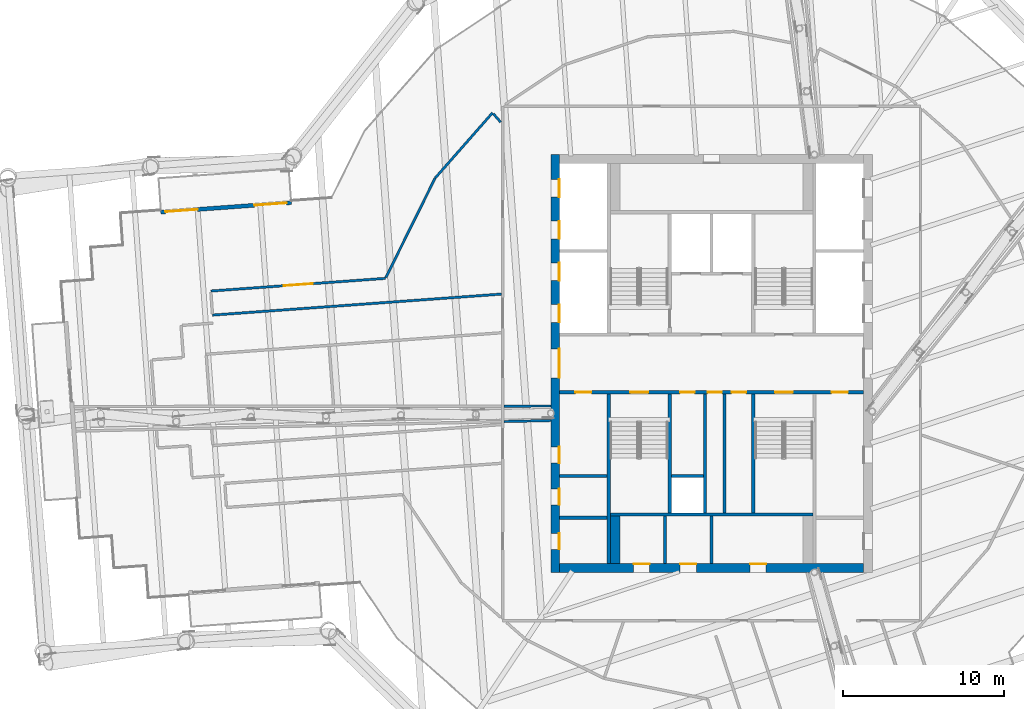
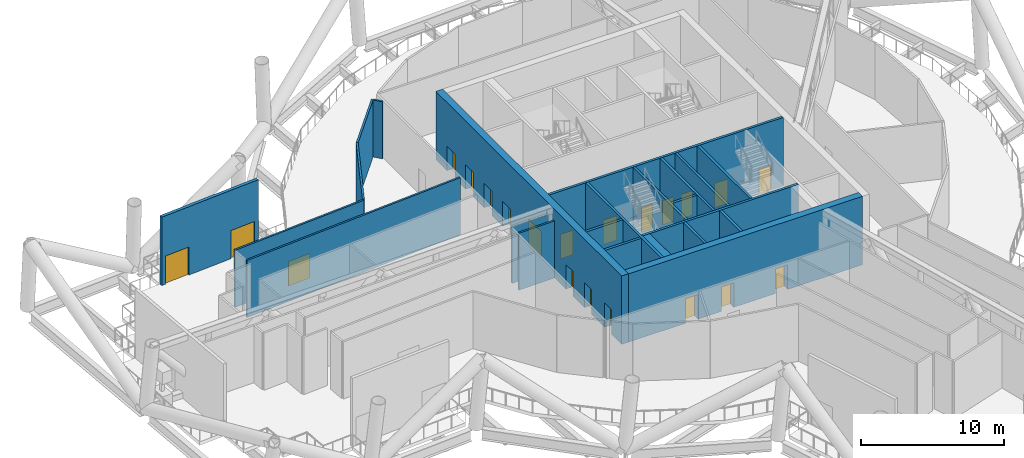
# One storey, part 11 of 33: 23 walls, 21 doors, 21 openings.
"""IFC4 building model written with IfcOpenShell, lengths in metres."""

from ifc_helpers import new_model, si_unit, direction, frame, frame_2d, origin, place, context, subcontext, project, spatial, rectangle, extrude, material, layer, layer_set, type_object, element, fill, save


model = new_model("IFC4")

# Units and contexts
model_context = context("Model", 3, precision=1e-05, world=origin(), true_north=direction((0.0, 1.0)))
body_context = subcontext(model_context, "Body", "Model", "MODEL_VIEW")
ifc_project = project(units=[si_unit("LENGTHUNIT", "METRE"), si_unit("AREAUNIT", "SQUARE_METRE"), si_unit("VOLUMEUNIT", "CUBIC_METRE"), si_unit("PLANEANGLEUNIT", "RADIAN"), si_unit("MASSUNIT", "GRAM", prefix="KILO")], contexts=[model_context])

# Site, building, storey
site_placement = place(None, origin())
site = spatial("IfcSite", under=ifc_project, at=site_placement, CompositionType="ELEMENT")
building_placement = place(site_placement, origin())
building = spatial("IfcBuilding", under=site, at=building_placement, Name="Tarsis Ring Headquarters", CompositionType="ELEMENT")
storey_placement = place(building_placement, frame((0.0, 0.0, 302.0)))
storey = spatial("IfcBuildingStorey", under=building, at=storey_placement, Name="L71", CompositionType="ELEMENT", Elevation=302.0)

# Walls
ifc_material_1 = material(Name="Blockwork", Category="masonry")
ifc_layer_1 = layer(ifc_material_1, 0.199951171875)
ifc_layer_set_1 = layer_set([ifc_layer_1], Name="Core blockwork wall 200")
wall_type_1 = type_object("IfcWallType", Name="Core blockwork wall 200", PredefinedType="PARTITIONING", material=ifc_layer_set_1)
for number, where, z_axis, x_axis, name in (
    (1, (-9.449951171875, -9.60009765625, 0.0), (0.0, 0.0, 1.0), (1.0, 0.0, 0.0), "Core partition WD1"),
    (2, (-9.449951171875, -7.0, 0.0), (0.0, 0.0, 1.0), (1.0, 0.0, 0.0), "Core partition WD2"),
    (3, (-2.89990234375, -12.449951171875, 0.0), (0.0, 0.0, 1.0), (0.0, 1.0, 0.0), "Core partition SD1"),
    (4, (0.0, -12.449951171875, 0.0), (0.0, 0.0, 1.0), (0.0, 1.0, 0.0), "Core partition SD2"),
):
    element("IfcWall", number, at=place(storey_placement, frame(where, z_axis=z_axis, x_axis=x_axis)), inside=storey, type_object=wall_type_1, Name=name, PredefinedType="PARTITIONING", context=body_context, shape_type="SweptSolid", body=[
        extrude(rectangle(XDim=2.949951171875, YDim=0.199951171875, at=frame_2d((1.47509765625, 0.0))), origin(), (0.0, 0.0, 1.0), 5.840087890625),
    ])
wall_1_placement = place(storey_placement, frame((-2.5, -7.0, 0.0), z_axis=(0.0, 0.0, 1.0), x_axis=(1.0, 0.0, 0.0)))
element("IfcWall", 5, at=wall_1_placement, inside=storey, type_object=wall_type_1, Name="Core partition SP1", PredefinedType="PARTITIONING", context=body_context, shape_type="SweptSolid", body=[
    extrude(rectangle(XDim=2.0, YDim=0.199951171875, at=frame_2d((1.0, 0.0))), origin(), (0.0, 0.0, 1.0), 5.840087890625),
])
for number, where, z_axis, x_axis, name in (
    (6, (-0.39990234375, -9.300048828125, 0.0), (0.0, 0.0, 1.0), (0.0, 1.0, 0.0), "Core partition SV1"),
    (7, (0.800048828125, -9.300048828125, 0.0), (0.0, 0.0, 1.0), (0.0, 1.0, 0.0), "Core partition SV2"),
):
    element("IfcWall", number, at=place(storey_placement, frame(where, z_axis=z_axis, x_axis=x_axis)), inside=storey, type_object=wall_type_1, Name=name, PredefinedType="PARTITIONING", context=body_context, shape_type="SweptSolid", body=[
        extrude(rectangle(XDim=7.400146484375, YDim=0.199951171875, at=frame_2d((3.7001953125, 0.0))), origin(), (0.0, 0.0, 1.0), 5.840087890625),
    ])

# Wall, openings, doors
ifc_material_2 = material(Name="Concrete C50/60", Category="concrete")
ifc_layer_2 = layer(ifc_material_2, 0.550048828125)
ifc_layer_set_2 = layer_set([ifc_layer_2], Name="Core wall 550 C50/60")
wall_type_2 = type_object("IfcWallType", Name="Core wall 550 C50/60", PredefinedType="SHEAR", material=ifc_layer_set_2)
wall_2_placement = place(storey_placement, frame((-9.72509765625, -13.0, 0.0), z_axis=(0.0, 0.0, 1.0), x_axis=(0.0, 1.0, 0.0)))
wall_2 = element("IfcWall", 8, at=wall_2_placement, inside=storey, type_object=wall_type_2, Name="Core wall OW", PredefinedType="SHEAR", context=body_context, shape_type="SweptSolid", body=[
    extrude(rectangle(XDim=26.0, YDim=0.550048828125, at=frame_2d((13.0, 0.0))), origin(), (0.0, 0.0, 1.0), 5.840087890625),
])
opening_1_placement = place(wall_2_placement, frame((1.425048828125, 0.0, 0.0)))
opening_1 = element("IfcOpeningElement", 9, at=opening_1_placement, cuts=wall_2, Name="Opening L71-C01", PredefinedType="OPENING", context=body_context, shape_type="SweptSolid", body=[
    extrude(rectangle(XDim=1.0, YDim=2.10009765625, at=frame_2d((0.5, 1.050048828125))), frame((0.0, 0.284912109375, 0.0), z_axis=(0.0, -1.0, 0.0), x_axis=(1.0, 0.0, 0.0)), (0.0, 0.0, 1.0), 0.570068359375),
])
opening_2_placement = place(wall_2_placement, frame((4.199951171875, 0.0, 0.0)))
opening_2 = element("IfcOpeningElement", 10, at=opening_2_placement, cuts=wall_2, Name="Opening L71-C02", PredefinedType="OPENING", context=body_context, shape_type="SweptSolid", body=[
    extrude(rectangle(XDim=1.0, YDim=2.10009765625, at=frame_2d((0.5, 1.050048828125))), frame((0.0, 0.284912109375, 0.0), z_axis=(0.0, -1.0, 0.0), x_axis=(1.0, 0.0, 0.0)), (0.0, 0.0, 1.0), 0.570068359375),
])
opening_3_placement = place(wall_2_placement, frame((6.800048828125, 0.0, 0.0)))
opening_3 = element("IfcOpeningElement", 11, at=opening_3_placement, cuts=wall_2, Name="Opening L71-C03", PredefinedType="OPENING", context=body_context, shape_type="SweptSolid", body=[
    extrude(rectangle(XDim=1.0, YDim=2.10009765625, at=frame_2d((0.5, 1.050048828125))), frame((0.0, 0.284912109375, 0.0), z_axis=(0.0, -1.0, 0.0), x_axis=(1.0, 0.0, 0.0)), (0.0, 0.0, 1.0), 0.570068359375),
])
opening_4_placement = place(wall_2_placement, frame((12.10009765625, 0.0, 0.0)))
opening_4 = element("IfcOpeningElement", 12, at=opening_4_placement, cuts=wall_2, Name="Opening L71-C04", PredefinedType="OPENING", context=body_context, shape_type="SweptSolid", body=[
    extrude(rectangle(XDim=1.800048828125, YDim=2.10009765625, at=frame_2d((0.89990234375, 1.050048828125))), frame((0.0, 0.284912109375, 0.0), z_axis=(0.0, -1.0, 0.0), x_axis=(1.0, 0.0, 0.0)), (0.0, 0.0, 1.0), 0.570068359375),
])
opening_5_placement = place(wall_2_placement, frame((15.550048828125, 0.0, 0.0)))
opening_5 = element("IfcOpeningElement", 13, at=opening_5_placement, cuts=wall_2, Name="Opening LD-HR1", PredefinedType="OPENING", context=body_context, shape_type="SweptSolid", body=[
    extrude(rectangle(XDim=1.10009765625, YDim=2.10009765625, at=frame_2d((0.550048828125, 1.050048828125))), frame((0.0, 0.284912109375, 0.0), z_axis=(0.0, -1.0, 0.0), x_axis=(1.0, 0.0, 0.0)), (0.0, 0.0, 1.0), 0.570068359375),
])
opening_6_placement = place(wall_2_placement, frame((18.14990234375, 0.0, 0.0)))
opening_6 = element("IfcOpeningElement", 14, at=opening_6_placement, cuts=wall_2, Name="Opening LD-HR2", PredefinedType="OPENING", context=body_context, shape_type="SweptSolid", body=[
    extrude(rectangle(XDim=1.10009765625, YDim=2.10009765625, at=frame_2d((0.550048828125, 1.050048828125))), frame((0.0, 0.284912109375, 0.0), z_axis=(0.0, -1.0, 0.0), x_axis=(1.0, 0.0, 0.0)), (0.0, 0.0, 1.0), 0.570068359375),
])
opening_7_placement = place(wall_2_placement, frame((20.75, 0.0, 0.0)))
opening_7 = element("IfcOpeningElement", 15, at=opening_7_placement, cuts=wall_2, Name="Opening LD-HR3", PredefinedType="OPENING", context=body_context, shape_type="SweptSolid", body=[
    extrude(rectangle(XDim=1.10009765625, YDim=2.10009765625, at=frame_2d((0.550048828125, 1.050048828125))), frame((0.0, 0.284912109375, 0.0), z_axis=(0.0, -1.0, 0.0), x_axis=(1.0, 0.0, 0.0)), (0.0, 0.0, 1.0), 0.570068359375),
])
opening_8_placement = place(wall_2_placement, frame((23.35009765625, 0.0, 0.0)))
opening_8 = element("IfcOpeningElement", 16, at=opening_8_placement, cuts=wall_2, Name="Opening LD-HR4", PredefinedType="OPENING", context=body_context, shape_type="SweptSolid", body=[
    extrude(rectangle(XDim=1.10009765625, YDim=2.10009765625, at=frame_2d((0.550048828125, 1.050048828125))), frame((0.0, 0.284912109375, 0.0), z_axis=(0.0, -1.0, 0.0), x_axis=(1.0, 0.0, 0.0)), (0.0, 0.0, 1.0), 0.570068359375),
])
ifc_material_3 = material(Name="Steel S355", Category="steel")
door_type_1 = type_object("IfcDoorType", Name="Core entry door 1800x2100", OperationType="DOUBLE_DOOR_SINGLE_SWING", PredefinedType="DOOR", material=ifc_material_3)
door_1_placement = place(opening_4_placement, origin())
door_1 = element("IfcDoor", 17, at=door_1_placement, inside=storey, type_object=door_type_1, Name="Core entry door L71", OperationType="DOUBLE_DOOR_SINGLE_SWING", OverallHeight=2.10009765625, OverallWidth=1.800048828125, PredefinedType="DOOR", context=body_context, shape_type="SweptSolid", body=[
    extrude(rectangle(XDim=1.800048828125, YDim=2.10009765625, at=frame_2d((0.89990234375, 1.050048828125))), frame((0.0, -0.22509765625, 0.0), z_axis=(0.0, -1.0, 0.0), x_axis=(1.0, 0.0, 0.0)), (0.0, 0.0, 1.0), 0.050048828125),
])
fill(opening_4, door_1)
door_type_2 = type_object("IfcDoorType", Name="Core room door 1000x2100", OperationType="SINGLE_SWING_LEFT", PredefinedType="DOOR", material=ifc_material_3)
door_2_placement = place(opening_1_placement, origin())
door_2 = element("IfcDoor", 18, at=door_2_placement, inside=storey, type_object=door_type_2, Name="Core room door L71", OperationType="SINGLE_SWING_LEFT", OverallHeight=2.10009765625, OverallWidth=1.0, PredefinedType="DOOR", context=body_context, shape_type="SweptSolid", body=[
    extrude(rectangle(XDim=1.0, YDim=2.10009765625, at=frame_2d((0.5, 1.050048828125))), frame((0.0, -0.22509765625, 0.0), z_axis=(0.0, -1.0, 0.0), x_axis=(1.0, 0.0, 0.0)), (0.0, 0.0, 1.0), 0.050048828125),
])
fill(opening_1, door_2)
door_3_placement = place(opening_2_placement, origin())
door_3 = element("IfcDoor", 19, at=door_3_placement, inside=storey, type_object=door_type_2, Name="Core room door L71", OperationType="SINGLE_SWING_LEFT", OverallHeight=2.10009765625, OverallWidth=1.0, PredefinedType="DOOR", context=body_context, shape_type="SweptSolid", body=[
    extrude(rectangle(XDim=1.0, YDim=2.10009765625, at=frame_2d((0.5, 1.050048828125))), frame((0.0, -0.22509765625, 0.0), z_axis=(0.0, -1.0, 0.0), x_axis=(1.0, 0.0, 0.0)), (0.0, 0.0, 1.0), 0.050048828125),
])
fill(opening_2, door_3)
door_4_placement = place(opening_3_placement, origin())
door_4 = element("IfcDoor", 20, at=door_4_placement, inside=storey, type_object=door_type_2, Name="Core room door L71", OperationType="SINGLE_SWING_LEFT", OverallHeight=2.10009765625, OverallWidth=1.0, PredefinedType="DOOR", context=body_context, shape_type="SweptSolid", body=[
    extrude(rectangle(XDim=1.0, YDim=2.10009765625, at=frame_2d((0.5, 1.050048828125))), frame((0.0, -0.22509765625, 0.0), z_axis=(0.0, -1.0, 0.0), x_axis=(1.0, 0.0, 0.0)), (0.0, 0.0, 1.0), 0.050048828125),
])
fill(opening_3, door_4)
door_type_3 = type_object("IfcDoorType", Name="Landing door 1100x2100", OperationType="SLIDING_TO_LEFT", PredefinedType="DOOR", material=ifc_material_3)
door_5_placement = place(opening_5_placement, origin())
door_5 = element("IfcDoor", 21, at=door_5_placement, inside=storey, type_object=door_type_3, Name="Landing door HR1 L71", OperationType="SLIDING_TO_LEFT", OverallHeight=2.10009765625, OverallWidth=1.10009765625, PredefinedType="DOOR", context=body_context, shape_type="SweptSolid", body=[
    extrude(rectangle(XDim=1.10009765625, YDim=2.10009765625, at=frame_2d((0.550048828125, 1.050048828125))), frame((0.0, -0.22509765625, 0.0), z_axis=(0.0, -1.0, 0.0), x_axis=(1.0, 0.0, 0.0)), (0.0, 0.0, 1.0), 0.050048828125),
])
fill(opening_5, door_5)
door_6_placement = place(opening_6_placement, origin())
door_6 = element("IfcDoor", 22, at=door_6_placement, inside=storey, type_object=door_type_3, Name="Landing door HR2 L71", OperationType="SLIDING_TO_LEFT", OverallHeight=2.10009765625, OverallWidth=1.10009765625, PredefinedType="DOOR", context=body_context, shape_type="SweptSolid", body=[
    extrude(rectangle(XDim=1.10009765625, YDim=2.10009765625, at=frame_2d((0.550048828125, 1.050048828125))), frame((0.0, -0.22509765625, 0.0), z_axis=(0.0, -1.0, 0.0), x_axis=(1.0, 0.0, 0.0)), (0.0, 0.0, 1.0), 0.050048828125),
])
fill(opening_6, door_6)
door_7_placement = place(opening_7_placement, origin())
door_7 = element("IfcDoor", 23, at=door_7_placement, inside=storey, type_object=door_type_3, Name="Landing door HR3 L71", OperationType="SLIDING_TO_LEFT", OverallHeight=2.10009765625, OverallWidth=1.10009765625, PredefinedType="DOOR", context=body_context, shape_type="SweptSolid", body=[
    extrude(rectangle(XDim=1.10009765625, YDim=2.10009765625, at=frame_2d((0.550048828125, 1.050048828125))), frame((0.0, -0.22509765625, 0.0), z_axis=(0.0, -1.0, 0.0), x_axis=(1.0, 0.0, 0.0)), (0.0, 0.0, 1.0), 0.050048828125),
])
fill(opening_7, door_7)
door_8_placement = place(opening_8_placement, origin())
door_8 = element("IfcDoor", 24, at=door_8_placement, inside=storey, type_object=door_type_3, Name="Landing door HR4 L71", OperationType="SLIDING_TO_LEFT", OverallHeight=2.10009765625, OverallWidth=1.10009765625, PredefinedType="DOOR", context=body_context, shape_type="SweptSolid", body=[
    extrude(rectangle(XDim=1.10009765625, YDim=2.10009765625, at=frame_2d((0.550048828125, 1.050048828125))), frame((0.0, -0.22509765625, 0.0), z_axis=(0.0, -1.0, 0.0), x_axis=(1.0, 0.0, 0.0)), (0.0, 0.0, 1.0), 0.050048828125),
])
fill(opening_8, door_8)

wall_3_placement = place(storey_placement, frame((-9.449951171875, -12.72509765625, 0.0), z_axis=(0.0, 0.0, 1.0), x_axis=(1.0, 0.0, 0.0)))
wall_3 = element("IfcWall", 25, at=wall_3_placement, inside=storey, type_object=wall_type_2, Name="Core wall OS", PredefinedType="SHEAR", context=body_context, shape_type="SweptSolid", body=[
    extrude(rectangle(XDim=18.89990234375, YDim=0.550048828125, at=frame_2d((9.449951171875, 0.0))), origin(), (0.0, 0.0, 1.0), 5.840087890625),
])
opening_9_placement = place(wall_3_placement, frame((4.60009765625, 0.0, 0.0)))
opening_9 = element("IfcOpeningElement", 26, at=opening_9_placement, cuts=wall_3, Name="Opening L71-C17", PredefinedType="OPENING", context=body_context, shape_type="SweptSolid", body=[
    extrude(rectangle(XDim=1.0, YDim=2.10009765625, at=frame_2d((0.5, 1.050048828125))), frame((0.0, 0.284912109375, 0.0), z_axis=(0.0, -1.0, 0.0), x_axis=(1.0, 0.0, 0.0)), (0.0, 0.0, 1.0), 0.570068359375),
])
opening_10_placement = place(wall_3_placement, frame((7.5, 0.0, 0.0)))
opening_10 = element("IfcOpeningElement", 27, at=opening_10_placement, cuts=wall_3, Name="Opening L71-C18", PredefinedType="OPENING", context=body_context, shape_type="SweptSolid", body=[
    extrude(rectangle(XDim=1.0, YDim=2.10009765625, at=frame_2d((0.5, 1.050048828125))), frame((0.0, 0.284912109375, 0.0), z_axis=(0.0, -1.0, 0.0), x_axis=(1.0, 0.0, 0.0)), (0.0, 0.0, 1.0), 0.570068359375),
])
opening_11_placement = place(wall_3_placement, frame((11.85009765625, 0.0, 0.0)))
opening_11 = element("IfcOpeningElement", 28, at=opening_11_placement, cuts=wall_3, Name="Opening L71-C19", PredefinedType="OPENING", context=body_context, shape_type="SweptSolid", body=[
    extrude(rectangle(XDim=1.0, YDim=2.10009765625, at=frame_2d((0.5, 1.050048828125))), frame((0.0, 0.284912109375, 0.0), z_axis=(0.0, -1.0, 0.0), x_axis=(1.0, 0.0, 0.0)), (0.0, 0.0, 1.0), 0.570068359375),
])
door_9_placement = place(opening_9_placement, origin())
door_9 = element("IfcDoor", 29, at=door_9_placement, inside=storey, type_object=door_type_2, Name="Core room door L71", OperationType="SINGLE_SWING_LEFT", OverallHeight=2.10009765625, OverallWidth=1.0, PredefinedType="DOOR", context=body_context, shape_type="SweptSolid", body=[
    extrude(rectangle(XDim=1.0, YDim=2.10009765625, at=frame_2d((0.5, 1.050048828125))), frame((0.0, 0.27490234375, 0.0), z_axis=(0.0, -1.0, 0.0), x_axis=(1.0, 0.0, 0.0)), (0.0, 0.0, 1.0), 0.050048828125),
])
fill(opening_9, door_9)
door_10_placement = place(opening_10_placement, origin())
door_10 = element("IfcDoor", 30, at=door_10_placement, inside=storey, type_object=door_type_2, Name="Core room door L71", OperationType="SINGLE_SWING_LEFT", OverallHeight=2.10009765625, OverallWidth=1.0, PredefinedType="DOOR", context=body_context, shape_type="SweptSolid", body=[
    extrude(rectangle(XDim=1.0, YDim=2.10009765625, at=frame_2d((0.5, 1.050048828125))), frame((0.0, 0.27490234375, 0.0), z_axis=(0.0, -1.0, 0.0), x_axis=(1.0, 0.0, 0.0)), (0.0, 0.0, 1.0), 0.050048828125),
])
fill(opening_10, door_10)
door_11_placement = place(opening_11_placement, origin())
door_11 = element("IfcDoor", 31, at=door_11_placement, inside=storey, type_object=door_type_2, Name="Core room door L71", OperationType="SINGLE_SWING_LEFT", OverallHeight=2.10009765625, OverallWidth=1.0, PredefinedType="DOOR", context=body_context, shape_type="SweptSolid", body=[
    extrude(rectangle(XDim=1.0, YDim=2.10009765625, at=frame_2d((0.5, 1.050048828125))), frame((0.0, 0.27490234375, 0.0), z_axis=(0.0, -1.0, 0.0), x_axis=(1.0, 0.0, 0.0)), (0.0, 0.0, 1.0), 0.050048828125),
])
fill(opening_11, door_11)

# Walls
ifc_material_4 = material(Name="Gypsum board on steel studs", Category="steel")
ifc_layer_3 = layer(ifc_material_4, 0.14990234375)
ifc_layer_set_3 = layer_set([ifc_layer_3], Name="FL partition 150 EI 120 H4870")
wall_type_3 = type_object("IfcWallType", Name="FL partition 150 EI 120 H4870", PredefinedType="PARTITIONING", material=ifc_layer_set_3)
wall_4_placement = place(storey_placement, frame((-12.9248046875, -2.65478515625, 0.0), z_axis=(0.0, 0.0, 1.0), x_axis=(0.999999411234, 0.001085141264, 0.0)))
element("IfcWall", 32, at=wall_4_placement, inside=storey, type_object=wall_type_3, Name="Partition PW2H487", PredefinedType="PARTITIONING", context=body_context, shape_type="SweptSolid", body=[
    extrude(rectangle(XDim=2.9248046875, YDim=0.14990234375, at=frame_2d((1.46240234375, 0.0))), origin(), (0.0, 0.0, 1.0), 4.8701171875),
])
wall_5_placement = place(storey_placement, frame((-12.92333984375, -3.6181640625, 0.0), z_axis=(0.0, 0.0, 1.0), x_axis=(0.999753342648, 0.022209319287, 0.0)))
element("IfcWall", 33, at=wall_5_placement, inside=storey, type_object=wall_type_3, Name="Partition PW2H487", PredefinedType="PARTITIONING", context=body_context, shape_type="SweptSolid", body=[
    extrude(rectangle(XDim=2.924072265625, YDim=0.14990234375, at=frame_2d((1.4619140625, 0.0))), origin(), (0.0, 0.0, 1.0), 4.8701171875),
])
wall_6_placement = place(storey_placement, frame((-31.0498046875, 3.005615234375, 0.0), z_axis=(0.0, 0.0, 1.0), x_axis=(0.997365906075, 0.072534470419, 0.0)))
element("IfcWall", 34, at=wall_6_placement, inside=storey, type_object=wall_type_3, Name="Partition PW2H487", PredefinedType="PARTITIONING", context=body_context, shape_type="SweptSolid", body=[
    extrude(rectangle(XDim=18.017333984375, YDim=0.14990234375, at=frame_2d((9.0087890625, 0.0))), origin(), (0.0, 0.0, 1.0), 4.8701171875),
])

# Wall, opening, door
wall_7_placement = place(storey_placement, frame((-31.15869140625, 4.501708984375, 0.0), z_axis=(0.0, 0.0, 1.0), x_axis=(0.997365905327, 0.072534480709, 0.0)))
wall_7 = element("IfcWall", 35, at=wall_7_placement, inside=storey, type_object=wall_type_3, Name="Partition PW2H487", PredefinedType="PARTITIONING", context=body_context, shape_type="SweptSolid", body=[
    extrude(rectangle(XDim=10.902099609375, YDim=0.14990234375, at=frame_2d((5.451171875, 0.0))), origin(), (0.0, 0.0, 1.0), 4.8701171875),
])
opening_12_placement = place(wall_7_placement, frame((4.55078125, 0.0, 0.0)))
opening_12 = element("IfcOpeningElement", 36, at=opening_12_placement, cuts=wall_7, Name="Opening D71.19", PredefinedType="OPENING", context=body_context, shape_type="SweptSolid", body=[
    extrude(rectangle(XDim=1.800048828125, YDim=2.10009765625, at=frame_2d((0.89990234375, 1.050048828125))), frame((0.0, 0.0849609375, 0.0), z_axis=(0.0, -1.0, 0.0), x_axis=(1.0, 0.0, 0.0)), (0.0, 0.0, 1.0), 0.169921875),
])
ifc_material_5 = material(Name="Fire-rated timber door leaf in steel frame", Category="steel")
door_type_4 = type_object("IfcDoorType", Name="FL door FD120-1800", OperationType="DOUBLE_DOOR_SINGLE_SWING", PredefinedType="DOOR", material=ifc_material_5)
door_12_placement = place(opening_12_placement, origin())
door_12 = element("IfcDoor", 37, at=door_12_placement, inside=storey, type_object=door_type_4, Name="Door D71.19", OperationType="DOUBLE_DOOR_SINGLE_SWING", OverallHeight=2.10009765625, OverallWidth=1.800048828125, PredefinedType="DOOR", context=body_context, shape_type="SweptSolid", body=[
    extrude(rectangle(XDim=1.800048828125, YDim=2.10009765625, at=frame_2d((0.89990234375, 1.050048828125))), frame((0.0, 0.02490234375, 0.0), z_axis=(0.0, -1.0, 0.0), x_axis=(1.0, 0.0, 0.0)), (0.0, 0.0, 1.0), 0.050048828125),
])
fill(opening_12, door_12)

# Walls
wall_8_placement = place(storey_placement, frame((-20.260986328125, 5.347412109375, 0.0), z_axis=(0.0, 0.0, 1.0), x_axis=(0.443700179258, 0.89617529029, 0.0)))
element("IfcWall", 38, at=wall_8_placement, inside=storey, type_object=wall_type_3, Name="Partition PW2H487", PredefinedType="PARTITIONING", context=body_context, shape_type="SweptSolid", body=[
    extrude(rectangle(XDim=6.89990234375, YDim=0.14990234375, at=frame_2d((3.449951171875, 0.0))), origin(), (0.0, 0.0, 1.0), 4.8701171875),
])
wall_9_placement = place(storey_placement, frame((-17.1923828125, 11.5390625, 0.0), z_axis=(0.0, 0.0, 1.0), x_axis=(0.66052383347, 0.750805078179, 0.0)))
element("IfcWall", 39, at=wall_9_placement, inside=storey, type_object=wall_type_3, Name="Partition PW2H487", PredefinedType="PARTITIONING", context=body_context, shape_type="SweptSolid", body=[
    extrude(rectangle(XDim=5.39501953125, YDim=0.14990234375, at=frame_2d((2.697509765625, 0.0))), origin(), (0.0, 0.0, 1.0), 4.8701171875),
])
wall_10_placement = place(storey_placement, frame((-13.574462890625, 15.52783203125, 0.0), z_axis=(0.0, 0.0, 1.0), x_axis=(0.658304988722, -0.752751314727, 0.0)))
element("IfcWall", 40, at=wall_10_placement, inside=storey, type_object=wall_type_3, Name="Partition PW2H487", PredefinedType="PARTITIONING", context=body_context, shape_type="SweptSolid", body=[
    extrude(rectangle(XDim=0.69287109375, YDim=0.14990234375, at=frame_2d((0.346435546875, 0.0))), origin(), (0.0, 0.0, 1.0), 4.8701171875),
])

# Wall, openings, doors
ifc_material_6 = material(Name="Terracotta clad insulated panel wall", Category="masonry")
ifc_layer_4 = layer(ifc_material_6, 0.25)
ifc_layer_set_4 = layer_set([ifc_layer_4], Name="Facade wall terracotta panel 250")
wall_type_4 = type_object("IfcWallType", Name="Facade wall terracotta panel 250", PredefinedType="STANDARD", material=ifc_layer_set_4)
wall_11_placement = place(storey_placement, frame((-26.143310546875, 10.0048828125, 0.0), z_axis=(0.0, 0.0, 1.0), x_axis=(-0.997365422983, -0.072541112747, 0.0)))
wall_11 = element("IfcWall", 41, at=wall_11_placement, inside=storey, type_object=wall_type_4, Name="External wall L71-05", PredefinedType="STANDARD", context=body_context, shape_type="SweptSolid", body=[
    extrude(rectangle(XDim=8.1513671875, YDim=0.25, at=frame_2d((4.07568359375, 0.0))), origin(), (0.0, 0.0, 1.0), 5.840087890625),
])
opening_13_placement = place(wall_11_placement, frame((0.300048828125, 0.0, 0.0)))
opening_13 = element("IfcOpeningElement", 42, at=opening_13_placement, cuts=wall_11, Name="Opening L71-BD08", PredefinedType="OPENING", context=body_context, shape_type="SweptSolid", body=[
    extrude(rectangle(XDim=2.0, YDim=2.39990234375, at=frame_2d((1.0, 1.199951171875))), frame((0.0, 0.135009765625, 0.0), z_axis=(0.0, -1.0, 0.0), x_axis=(1.0, 0.0, 0.0)), (0.0, 0.0, 1.0), 0.27001953125),
])
opening_14_placement = place(wall_11_placement, frame((5.851318359375, 0.0, 0.0)))
opening_14 = element("IfcOpeningElement", 43, at=opening_14_placement, cuts=wall_11, Name="Opening L71-BD09", PredefinedType="OPENING", context=body_context, shape_type="SweptSolid", body=[
    extrude(rectangle(XDim=2.0, YDim=2.39990234375, at=frame_2d((1.0, 1.199951171875))), frame((0.0, 0.135009765625, 0.0), z_axis=(0.0, -1.0, 0.0), x_axis=(1.0, 0.0, 0.0)), (0.0, 0.0, 1.0), 0.27001953125),
])
ifc_material_7 = material(Name="Aluminium framed double glazing", Category="aluminium")
door_type_5 = type_object("IfcDoorType", Name="Balcony sliding door 2000 x 2400", OperationType="SLIDING_TO_LEFT", PredefinedType="DOOR", material=ifc_material_7)
door_13_placement = place(opening_13_placement, origin())
door_13 = element("IfcDoor", 44, at=door_13_placement, inside=storey, type_object=door_type_5, Name="Door L71-BD08", OperationType="SINGLE_SWING_LEFT", OverallHeight=2.39990234375, OverallWidth=2.0, PredefinedType="DOOR", context=body_context, shape_type="SweptSolid", body=[
    extrude(rectangle(XDim=2.0, YDim=2.39990234375, at=frame_2d((1.0, 1.199951171875))), frame((0.0, 0.02490234375, 0.0), z_axis=(0.0, -1.0, 0.0), x_axis=(1.0, 0.0, 0.0)), (0.0, 0.0, 1.0), 0.050048828125),
])
fill(opening_13, door_13)
door_14_placement = place(opening_14_placement, origin())
door_14 = element("IfcDoor", 45, at=door_14_placement, inside=storey, type_object=door_type_5, Name="Door L71-BD09", OperationType="SINGLE_SWING_LEFT", OverallHeight=2.39990234375, OverallWidth=2.0, PredefinedType="DOOR", context=body_context, shape_type="SweptSolid", body=[
    extrude(rectangle(XDim=2.0, YDim=2.39990234375, at=frame_2d((1.0, 1.199951171875))), frame((0.0, 0.02490234375, 0.0), z_axis=(0.0, -1.0, 0.0), x_axis=(1.0, 0.0, 0.0)), (0.0, 0.0, 1.0), 0.050048828125),
])
fill(opening_14, door_14)

# Wall
ifc_material_8 = material(Name="Concrete C32/40", Category="concrete")
ifc_layer_5 = layer(ifc_material_8, 0.60009765625)
ifc_layer_set_5 = layer_set([ifc_layer_5], Name="Shaft end wall 600 C32/40")
wall_type_5 = type_object("IfcWallType", Name="Shaft end wall 600 C32/40", PredefinedType="SOLIDWALL", material=ifc_layer_set_5)
wall_12_placement = place(storey_placement, frame((-6.0, -12.449951171875, 0.0), z_axis=(0.0, 0.0, 1.0), x_axis=(0.0, 1.0, 0.0)))
element("IfcWall", 46, at=wall_12_placement, inside=storey, type_object=wall_type_5, Name="Core shaft wall SNE1", PredefinedType="SOLIDWALL", context=body_context, shape_type="SweptSolid", body=[
    extrude(rectangle(XDim=2.949951171875, YDim=0.60009765625, at=frame_2d((1.47509765625, 0.0))), origin(), (0.0, 0.0, 1.0), 5.840087890625),
])

# Wall, openings, doors
ifc_layer_6 = layer(ifc_material_8, 0.199951171875)
ifc_layer_set_6 = layer_set([ifc_layer_6], Name="Shaft wall 200 C32/40")
wall_type_6 = type_object("IfcWallType", Name="Shaft wall 200 C32/40", PredefinedType="SOLIDWALL", material=ifc_layer_set_6)
wall_13_placement = place(storey_placement, frame((-9.449951171875, -1.800048828125, 0.0), z_axis=(0.0, 0.0, 1.0), x_axis=(1.0, 0.0, 0.0)))
wall_13 = element("IfcWall", 47, at=wall_13_placement, inside=storey, type_object=wall_type_6, Name="Core shaft wall CS", PredefinedType="SOLIDWALL", context=body_context, shape_type="SweptSolid", body=[
    extrude(rectangle(XDim=18.89990234375, YDim=0.199951171875, at=frame_2d((9.449951171875, 0.0))), origin(), (0.0, 0.0, 1.0), 5.840087890625),
])
opening_15_placement = place(wall_13_placement, frame((0.97509765625, 0.0, 0.0)))
opening_15 = element("IfcOpeningElement", 48, at=opening_15_placement, cuts=wall_13, Name="Opening L71-C23", PredefinedType="OPENING", context=body_context, shape_type="SweptSolid", body=[
    extrude(rectangle(XDim=1.0, YDim=2.10009765625, at=frame_2d((0.5, 1.050048828125))), frame((0.0, 0.10986328125, 0.0), z_axis=(0.0, -1.0, 0.0), x_axis=(1.0, 0.0, 0.0)), (0.0, 0.0, 1.0), 0.219970703125),
])
opening_16_placement = place(wall_13_placement, frame((4.39990234375, 0.0, 0.0)))
opening_16 = element("IfcOpeningElement", 49, at=opening_16_placement, cuts=wall_13, Name="Opening L71-C24", PredefinedType="OPENING", context=body_context, shape_type="SweptSolid", body=[
    extrude(rectangle(XDim=1.10009765625, YDim=2.10009765625, at=frame_2d((0.550048828125, 1.050048828125))), frame((0.0, 0.10986328125, 0.0), z_axis=(0.0, -1.0, 0.0), x_axis=(1.0, 0.0, 0.0)), (0.0, 0.0, 1.0), 0.219970703125),
])
opening_17_placement = place(wall_13_placement, frame((7.5, 0.0, 0.0)))
opening_17 = element("IfcOpeningElement", 50, at=opening_17_placement, cuts=wall_13, Name="Opening L71-C25", PredefinedType="OPENING", context=body_context, shape_type="SweptSolid", body=[
    extrude(rectangle(XDim=0.89990234375, YDim=2.10009765625, at=frame_2d((0.449951171875, 1.050048828125))), frame((0.0, 0.10986328125, 0.0), z_axis=(0.0, -1.0, 0.0), x_axis=(1.0, 0.0, 0.0)), (0.0, 0.0, 1.0), 0.219970703125),
])
opening_18_placement = place(wall_13_placement, frame((9.199951171875, 0.0, 0.0)))
opening_18 = element("IfcOpeningElement", 51, at=opening_18_placement, cuts=wall_13, Name="Opening L71-C26", PredefinedType="OPENING", context=body_context, shape_type="SweptSolid", body=[
    extrude(rectangle(XDim=0.89990234375, YDim=2.10009765625, at=frame_2d((0.449951171875, 1.050048828125))), frame((0.0, 0.10986328125, 0.0), z_axis=(0.0, -1.0, 0.0), x_axis=(1.0, 0.0, 0.0)), (0.0, 0.0, 1.0), 0.219970703125),
])
opening_19_placement = place(wall_13_placement, frame((10.699951171875, 0.0, 0.0)))
opening_19 = element("IfcOpeningElement", 52, at=opening_19_placement, cuts=wall_13, Name="Opening L71-C27", PredefinedType="OPENING", context=body_context, shape_type="SweptSolid", body=[
    extrude(rectangle(XDim=0.89990234375, YDim=2.10009765625, at=frame_2d((0.449951171875, 1.050048828125))), frame((0.0, 0.10986328125, 0.0), z_axis=(0.0, -1.0, 0.0), x_axis=(1.0, 0.0, 0.0)), (0.0, 0.0, 1.0), 0.219970703125),
])
opening_20_placement = place(wall_13_placement, frame((13.39990234375, 0.0, 0.0)))
opening_20 = element("IfcOpeningElement", 53, at=opening_20_placement, cuts=wall_13, Name="Opening L71-C28", PredefinedType="OPENING", context=body_context, shape_type="SweptSolid", body=[
    extrude(rectangle(XDim=1.10009765625, YDim=2.10009765625, at=frame_2d((0.550048828125, 1.050048828125))), frame((0.0, 0.10986328125, 0.0), z_axis=(0.0, -1.0, 0.0), x_axis=(1.0, 0.0, 0.0)), (0.0, 0.0, 1.0), 0.219970703125),
])
opening_21_placement = place(wall_13_placement, frame((16.925048828125, 0.0, 0.0)))
opening_21 = element("IfcOpeningElement", 54, at=opening_21_placement, cuts=wall_13, Name="Opening L71-C29", PredefinedType="OPENING", context=body_context, shape_type="SweptSolid", body=[
    extrude(rectangle(XDim=1.0, YDim=2.10009765625, at=frame_2d((0.5, 1.050048828125))), frame((0.0, 0.10986328125, 0.0), z_axis=(0.0, -1.0, 0.0), x_axis=(1.0, 0.0, 0.0)), (0.0, 0.0, 1.0), 0.219970703125),
])
door_15_placement = place(opening_15_placement, origin())
door_15 = element("IfcDoor", 55, at=door_15_placement, inside=storey, type_object=door_type_2, Name="Core room door L71", OperationType="SINGLE_SWING_LEFT", OverallHeight=2.10009765625, OverallWidth=1.0, PredefinedType="DOOR", context=body_context, shape_type="SweptSolid", body=[
    extrude(rectangle(XDim=1.0, YDim=2.10009765625, at=frame_2d((0.5, 1.050048828125))), frame((0.0, 0.02490234375, 0.0), z_axis=(0.0, -1.0, 0.0), x_axis=(1.0, 0.0, 0.0)), (0.0, 0.0, 1.0), 0.050048828125),
])
fill(opening_15, door_15)
door_16_placement = place(opening_21_placement, origin())
door_16 = element("IfcDoor", 56, at=door_16_placement, inside=storey, type_object=door_type_2, Name="Core room door L71", OperationType="SINGLE_SWING_LEFT", OverallHeight=2.10009765625, OverallWidth=1.0, PredefinedType="DOOR", context=body_context, shape_type="SweptSolid", body=[
    extrude(rectangle(XDim=1.0, YDim=2.10009765625, at=frame_2d((0.5, 1.050048828125))), frame((0.0, 0.02490234375, 0.0), z_axis=(0.0, -1.0, 0.0), x_axis=(1.0, 0.0, 0.0)), (0.0, 0.0, 1.0), 0.050048828125),
])
fill(opening_21, door_16)
door_type_6 = type_object("IfcDoorType", Name="Stair door 1100x2100", OperationType="SINGLE_SWING_LEFT", PredefinedType="DOOR", material=ifc_material_3)
door_17_placement = place(opening_16_placement, origin())
door_17 = element("IfcDoor", 57, at=door_17_placement, inside=storey, type_object=door_type_6, Name="Stair door L71", OperationType="SINGLE_SWING_LEFT", OverallHeight=2.10009765625, OverallWidth=1.10009765625, PredefinedType="DOOR", context=body_context, shape_type="SweptSolid", body=[
    extrude(rectangle(XDim=1.10009765625, YDim=2.10009765625, at=frame_2d((0.550048828125, 1.050048828125))), frame((0.0, 0.02490234375, 0.0), z_axis=(0.0, -1.0, 0.0), x_axis=(1.0, 0.0, 0.0)), (0.0, 0.0, 1.0), 0.050048828125),
])
fill(opening_16, door_17)
door_18_placement = place(opening_20_placement, origin())
door_18 = element("IfcDoor", 58, at=door_18_placement, inside=storey, type_object=door_type_6, Name="Stair door L71", OperationType="SINGLE_SWING_LEFT", OverallHeight=2.10009765625, OverallWidth=1.10009765625, PredefinedType="DOOR", context=body_context, shape_type="SweptSolid", body=[
    extrude(rectangle(XDim=1.10009765625, YDim=2.10009765625, at=frame_2d((0.550048828125, 1.050048828125))), frame((0.0, 0.02490234375, 0.0), z_axis=(0.0, -1.0, 0.0), x_axis=(1.0, 0.0, 0.0)), (0.0, 0.0, 1.0), 0.050048828125),
])
fill(opening_20, door_18)
door_type_7 = type_object("IfcDoorType", Name="WC door 900x2100", OperationType="SINGLE_SWING_LEFT", PredefinedType="DOOR", material=ifc_material_3)
door_19_placement = place(opening_17_placement, origin())
door_19 = element("IfcDoor", 59, at=door_19_placement, inside=storey, type_object=door_type_7, Name="WC door L71", OperationType="SINGLE_SWING_LEFT", OverallHeight=2.10009765625, OverallWidth=0.89990234375, PredefinedType="DOOR", context=body_context, shape_type="SweptSolid", body=[
    extrude(rectangle(XDim=0.89990234375, YDim=2.10009765625, at=frame_2d((0.449951171875, 1.050048828125))), frame((0.0, 0.02490234375, 0.0), z_axis=(0.0, -1.0, 0.0), x_axis=(1.0, 0.0, 0.0)), (0.0, 0.0, 1.0), 0.050048828125),
])
fill(opening_17, door_19)
door_20_placement = place(opening_18_placement, origin())
door_20 = element("IfcDoor", 60, at=door_20_placement, inside=storey, type_object=door_type_7, Name="WC door L71", OperationType="SINGLE_SWING_LEFT", OverallHeight=2.10009765625, OverallWidth=0.89990234375, PredefinedType="DOOR", context=body_context, shape_type="SweptSolid", body=[
    extrude(rectangle(XDim=0.89990234375, YDim=2.10009765625, at=frame_2d((0.449951171875, 1.050048828125))), frame((0.0, 0.02490234375, 0.0), z_axis=(0.0, -1.0, 0.0), x_axis=(1.0, 0.0, 0.0)), (0.0, 0.0, 1.0), 0.050048828125),
])
fill(opening_18, door_20)
door_21_placement = place(opening_19_placement, origin())
door_21 = element("IfcDoor", 61, at=door_21_placement, inside=storey, type_object=door_type_7, Name="WC door L71", OperationType="SINGLE_SWING_LEFT", OverallHeight=2.10009765625, OverallWidth=0.89990234375, PredefinedType="DOOR", context=body_context, shape_type="SweptSolid", body=[
    extrude(rectangle(XDim=0.89990234375, YDim=2.10009765625, at=frame_2d((0.449951171875, 1.050048828125))), frame((0.0, 0.02490234375, 0.0), z_axis=(0.0, -1.0, 0.0), x_axis=(1.0, 0.0, 0.0)), (0.0, 0.0, 1.0), 0.050048828125),
])
fill(opening_19, door_21)

# Walls
wall_14_placement = place(storey_placement, frame((-6.39990234375, -12.449951171875, 0.0), z_axis=(0.0, 0.0, 1.0), x_axis=(0.0, 1.0, 0.0)))
element("IfcWall", 62, at=wall_14_placement, inside=storey, type_object=wall_type_6, Name="Core shaft wall WB1", PredefinedType="SOLIDWALL", context=body_context, shape_type="SweptSolid", body=[
    extrude(rectangle(XDim=10.550048828125, YDim=0.199951171875, at=frame_2d((5.27490234375, 0.0))), origin(), (0.0, 0.0, 1.0), 5.840087890625),
])
wall_15_placement = place(storey_placement, frame((-6.300048828125, -9.39990234375, 0.0), z_axis=(0.0, 0.0, 1.0), x_axis=(1.0, 0.0, 0.0)))
element("IfcWall", 63, at=wall_15_placement, inside=storey, type_object=wall_type_6, Name="Core shaft wall SB", PredefinedType="SOLIDWALL", context=body_context, shape_type="SweptSolid", body=[
    extrude(rectangle(XDim=12.60009765625, YDim=0.199951171875, at=frame_2d((6.300048828125, 0.0))), origin(), (0.0, 0.0, 1.0), 5.840087890625),
])
for number, where, z_axis, x_axis, name in (
    (64, (-2.60009765625, -9.300048828125, 0.0), (0.0, 0.0, 1.0), (0.0, 1.0, 0.0), "Core shaft wall SW3"),
    (65, (2.60009765625, -9.300048828125, 0.0), (0.0, 0.0, 1.0), (0.0, 1.0, 0.0), "Core shaft wall SW4"),
):
    element("IfcWall", number, at=place(storey_placement, frame(where, z_axis=z_axis, x_axis=x_axis)), inside=storey, type_object=wall_type_6, Name=name, PredefinedType="SOLIDWALL", context=body_context, shape_type="SweptSolid", body=[
        extrude(rectangle(XDim=7.400146484375, YDim=0.199951171875, at=frame_2d((3.7001953125, 0.0))), origin(), (0.0, 0.0, 1.0), 5.840087890625),
    ])

save(model, "model.ifc")
